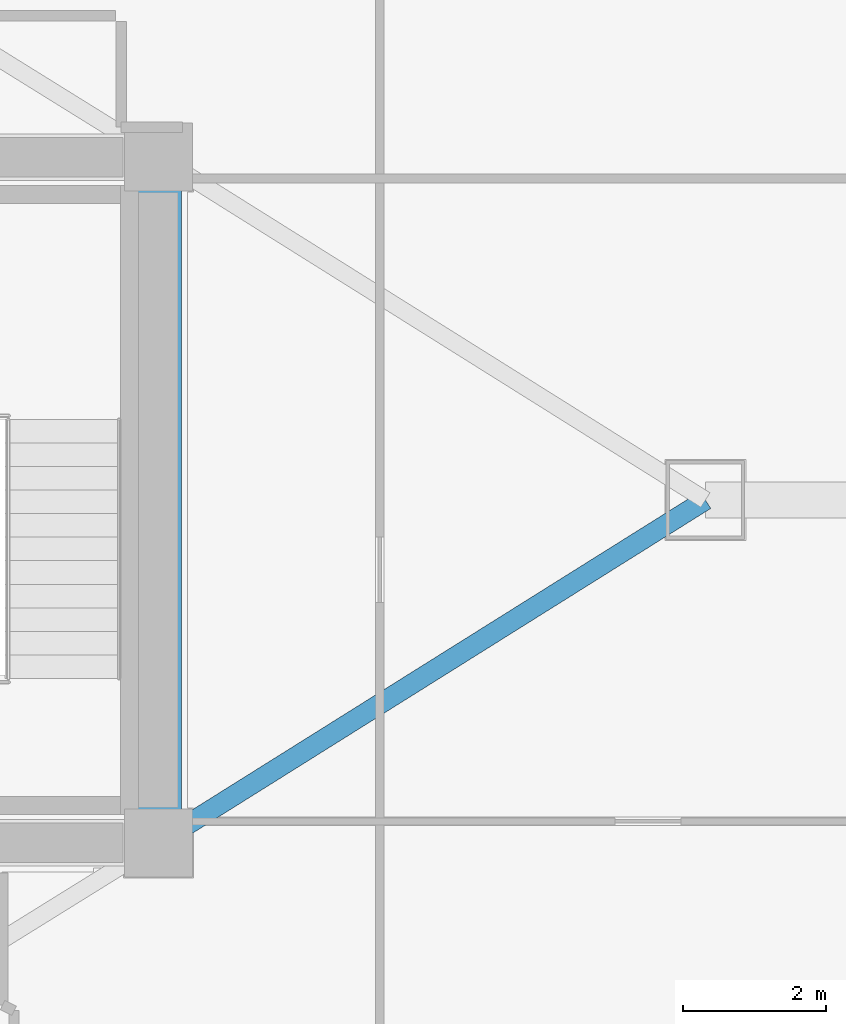
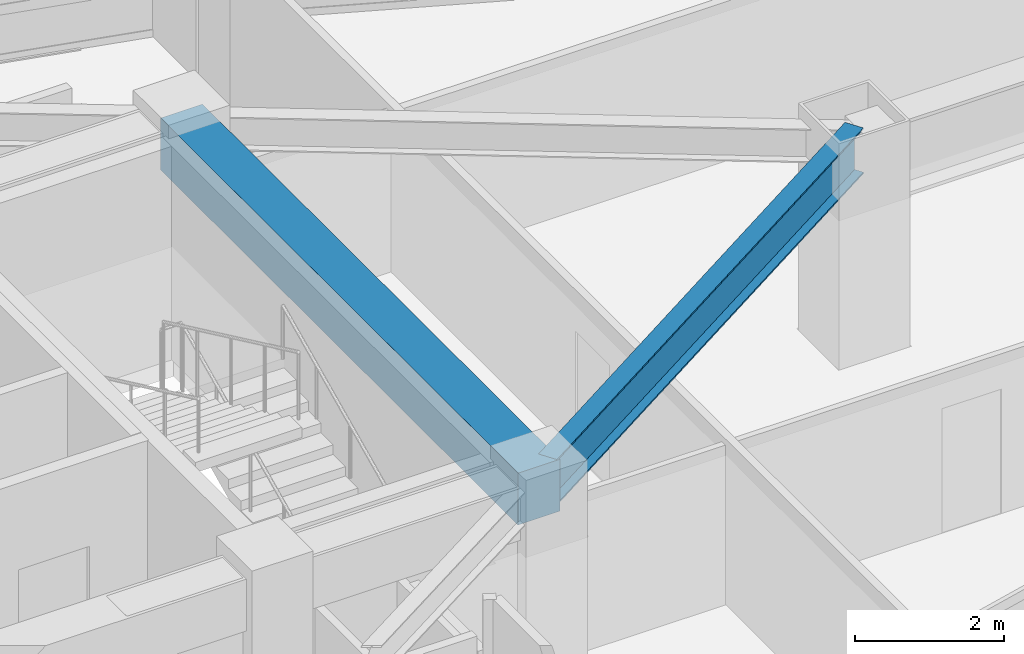
# One storey, part 6 of 17: 2 beams.
"""IFC4 building model written with IfcOpenShell, lengths in metres."""

from ifc_helpers import new_model, si_unit, direction, frame, origin, origin_2d, place, context, subcontext, project, spatial, rectangle, i_section, extrude, material, material_profile, profile_set, type_object, element, save


model = new_model("IFC4")

# Units and contexts
model_context = context("Model", 3, precision=1e-05, world=origin(), true_north=direction((0.0, 1.0)))
body_context = subcontext(model_context, "Body", "Model", "MODEL_VIEW")
ifc_project = project(units=[si_unit("LENGTHUNIT", "METRE"), si_unit("AREAUNIT", "SQUARE_METRE"), si_unit("VOLUMEUNIT", "CUBIC_METRE"), si_unit("PLANEANGLEUNIT", "RADIAN"), si_unit("MASSUNIT", "GRAM", prefix="KILO")], contexts=[model_context])

# Site, building, storey
site_placement = place(None, origin())
site = spatial("IfcSite", under=ifc_project, at=site_placement, CompositionType="ELEMENT")
building_placement = place(site_placement, origin())
building = spatial("IfcBuilding", under=site, at=building_placement, Name="Menara Vayukalpa", CompositionType="ELEMENT")
storey_placement = place(building_placement, frame((0.0, 0.0, 154.320068359375)))
storey = spatial("IfcBuildingStorey", under=building, at=storey_placement, Name="L38", CompositionType="ELEMENT", Elevation=154.320068359375)

# Beams
ifc_material_1 = material(Name="Concrete C60/75", Category="concrete")
ifc_material_profile_1 = material_profile(ifc_material_1, rectangle(XDim=0.64990234375, YDim=0.85009765625, at=origin_2d()), Name="RC 650x850")
ifc_profile_set_1 = profile_set([ifc_material_profile_1], Name="Concrete C60/75")
beam_type_1 = type_object("IfcBeamType", Name="BM-CB1", PredefinedType="BEAM", material=ifc_profile_set_1)
beam_1_placement = place(storey_placement, frame((33.39990234375, 17.199951171875, 3.074951171875), z_axis=(0.0, 1.0, 0.0), x_axis=(-1.0, 0.0, 0.0)))
element("IfcBeam", 1, at=beam_1_placement, inside=storey, type_object=beam_type_1, Name="L38 Core Tie Beam CBR8", PredefinedType="BEAM", context=body_context, shape_type="SweptSolid", body=[
    extrude(rectangle(XDim=0.64990234375, YDim=0.85009765625, at=origin_2d()), origin(), (0.0, 0.0, 1.0), 9.60009765625),
])
ifc_material_2 = material(Name="Steel S355", Category="steel")
ifc_material_profile_2 = material_profile(ifc_material_2, i_section(OverallWidth=0.280029296875, OverallDepth=0.75, WebThickness=0.013916015625, FlangeThickness=0.02490234375, at=origin_2d()), Name="WF 750x280x14x25")
ifc_profile_set_2 = profile_set([ifc_material_profile_2], Name="Steel S355")
beam_type_2 = type_object("IfcBeamType", Name="BM-PG4", PredefinedType="BEAM", material=ifc_profile_set_2)
beam_2_placement = place(storey_placement, frame((33.61181640625, 17.332763671875, 3.125), z_axis=(0.847348467727, 0.531037262573, 0.0), x_axis=(-0.531037262573, 0.847348467727, 0.0)))
element("IfcBeam", 2, at=beam_2_placement, inside=storey, type_object=beam_type_2, Name="L38 Primary Radial Girder RG01", PredefinedType="BEAM", context=body_context, shape_type="SweptSolid", body=[
    extrude(i_section(OverallWidth=0.280029296875, OverallDepth=0.75, WebThickness=0.013916015625, FlangeThickness=0.02490234375, at=origin_2d()), origin(), (0.0, 0.0, 1.0), 8.788818359375),
])

save(model, "model.ifc")
